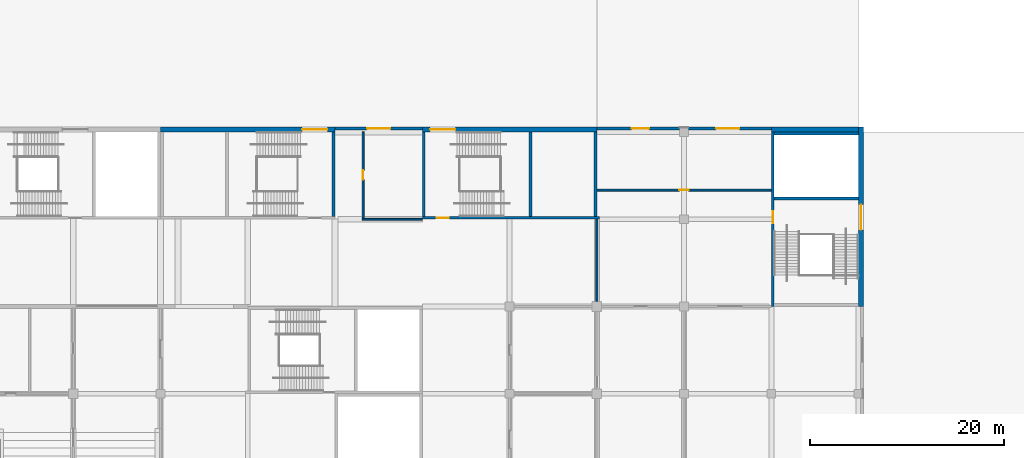
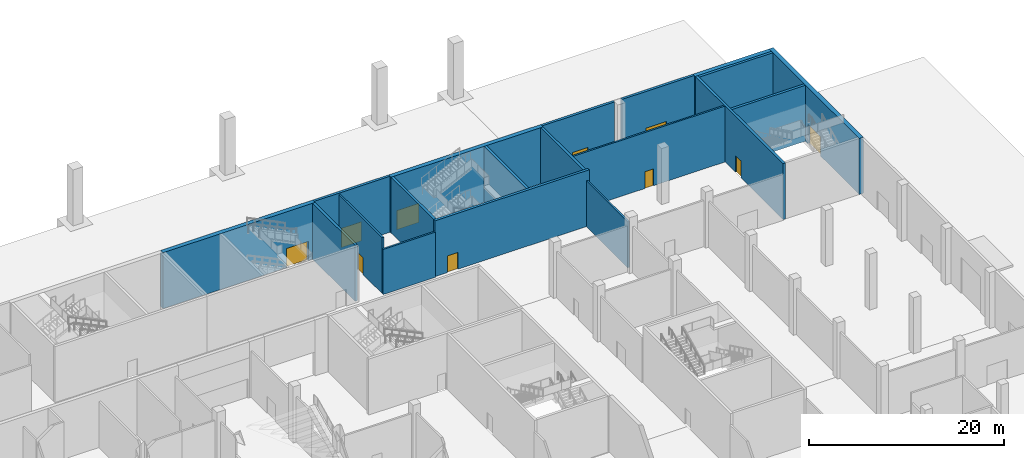
# One storey, part 41 of 92: 19 walls, 10 doors, 10 openings.
"""IFC4 building model written with IfcOpenShell, lengths in metres."""

import ifcopenshell
import ifcopenshell.guid

model = None  # the IFC model being written
_history = None  # IfcOwnerHistory: only IFC2X3 demands one
_inside = {}  # id of a spatial element -> (the spatial element, [elements in it])
_under = {}  # id of a project, library or spatial element -> (it, [spatial elements below it])
_declared = {}  # id of a project -> (the project, [libraries it declares])
_typed = {}  # id of a type object -> (the type object, [elements of that type])
_made_of = {}  # id of a material, layer set ... -> (it, [elements and type objects made of it])


def new_model(schema):
    """Start an empty IFC model of exactly this schema.

    Asked for "IFC4X3", IfcOpenShell would pick the latest addendum, in which some entities
    have other attributes; the version numbers below select the first issue.
    IFC2X3 requires an IfcOwnerHistory on every rooted entity: one is made here for all.
    """
    global model, _history
    if schema == "IFC4X3":
        model = ifcopenshell.file(schema_version=(4, 3, 0, 0))
    else:
        model = ifcopenshell.file(schema=schema)
    _inside.clear()
    _under.clear()
    _declared.clear()
    _typed.clear()
    _made_of.clear()
    _history = None
    if model.schema == "IFC2X3":
        org = make("IfcOrganization", Name="unknown")
        user = make(
            "IfcPersonAndOrganization",
            ThePerson=make("IfcPerson", FamilyName="unknown"),
            TheOrganization=org,
        )
        app = make(
            "IfcApplication",
            ApplicationDeveloper=org,
            Version="unknown",
            ApplicationFullName="unknown",
            ApplicationIdentifier="unknown",
        )
        _history = make(
            "IfcOwnerHistory",
            OwningUser=user,
            OwningApplication=app,
            ChangeAction="ADDED",
            CreationDate=0,
        )
    return model


def make(cls, **values):
    """One entity of the class cls with the attributes given. An attribute that is None is left unset."""
    return model.create_entity(
        cls, **{name: value for name, value in values.items() if value is not None}
    )


def rooted(cls, **values):
    """An entity with a GlobalId (a new one), such as an element, a storey or a relation."""
    return make(cls, GlobalId=ifcopenshell.guid.new(), OwnerHistory=_history, **values)


def si_unit(unit_type, name, prefix=None):
    """IfcSIUnit, for example si_unit("LENGTHUNIT", "METRE", prefix="MILLI")."""
    return make("IfcSIUnit", UnitType=unit_type, Prefix=prefix, Name=name)


def assignment(units):
    """IfcUnitAssignment: the units of a project."""
    return None if units is None else make("IfcUnitAssignment", Units=units)


def point(xyz):
    """IfcCartesianPoint."""
    return None if xyz is None else make("IfcCartesianPoint", Coordinates=xyz)


def direction(xyz):
    """IfcDirection."""
    return None if xyz is None else make("IfcDirection", DirectionRatios=xyz)


def frame(location, z_axis=None, x_axis=None):
    """IfcAxis2Placement3D, a coordinate frame: its origin and axes. An axis left out is left unset."""
    return make(
        "IfcAxis2Placement3D",
        Location=point(location),
        Axis=direction(z_axis),
        RefDirection=direction(x_axis),
    )


def frame_2d(location, x_axis=None):
    """IfcAxis2Placement2D, a coordinate frame in the plane: its origin and x axis."""
    return make(
        "IfcAxis2Placement2D", Location=point(location), RefDirection=direction(x_axis)
    )


def origin():
    """The frame at (0, 0, 0) with its axes left unset."""
    return frame((0.0, 0.0, 0.0))


def place(relative_to, where):
    """IfcLocalPlacement: puts the frame where relative to a parent placement (None: the world)."""
    return make(
        "IfcLocalPlacement", PlacementRelTo=relative_to, RelativePlacement=where
    )


def context(
    kind, dimensions, precision=None, world=None, true_north=None, identifier=None
):
    """IfcGeometricRepresentationContext, for example the 3D "Model" context."""
    return make(
        "IfcGeometricRepresentationContext",
        ContextIdentifier=identifier,
        ContextType=kind,
        CoordinateSpaceDimension=dimensions,
        Precision=precision,
        WorldCoordinateSystem=world,
        TrueNorth=true_north,
    )


def subcontext(parent, identifier, kind, view, scale=None):
    """IfcGeometricRepresentationSubContext, for example "Body" below "Model"."""
    return make(
        "IfcGeometricRepresentationSubContext",
        ContextIdentifier=identifier,
        ContextType=kind,
        ParentContext=parent,
        TargetScale=scale,
        TargetView=view,
    )


def project(units=None, contexts=None):
    """IfcProject with its units and contexts."""
    return rooted(
        "IfcProject",
        Name="project",
        RepresentationContexts=contexts,
        UnitsInContext=assignment(units),
    )


def spatial(cls, under=None, at=None, **own):
    """A site, building, storey or space (cls), placed at a placement, below another one or the project."""
    s = rooted(cls, ObjectPlacement=at, **own)
    if under is not None:
        _under.setdefault(under.id(), (under, []))[1].append(s)
    return s


def profile(cls, at=None, kind="AREA", **sizes):
    """A parametric profile (cls). Its sizes go by their IFC names, for example OverallWidth=200.0."""
    return make(cls, ProfileType=kind, Position=at, **sizes)


def rectangle(**sizes):
    """IfcRectangleProfileDef."""
    return profile("IfcRectangleProfileDef", **sizes)


def extrude(swept, where, along, depth):
    """IfcExtrudedAreaSolid: the profile swept, set in the frame where, extruded along a direction by depth."""
    return make(
        "IfcExtrudedAreaSolid",
        SweptArea=swept,
        Position=where,
        ExtrudedDirection=direction(along),
        Depth=depth,
    )


def shape(context_of_items, identifier, shape_type, items):
    """IfcShapeRepresentation: the items that make up one representation, for example the "Body"."""
    return make(
        "IfcShapeRepresentation",
        ContextOfItems=context_of_items,
        RepresentationIdentifier=identifier,
        RepresentationType=shape_type,
        Items=items,
    )


def material(Name=None, Category=None):
    """IfcMaterial."""
    return make("IfcMaterial", Name=Name, Category=Category)


def layer(
    of_material, thickness, ventilated=None, Name=None, Category=None, Priority=None
):
    """IfcMaterialLayer: one layer of a wall or slab, of a material (None: an air gap)."""
    return make(
        "IfcMaterialLayer",
        Material=of_material,
        LayerThickness=thickness,
        IsVentilated=ventilated,
        Name=Name,
        Category=Category,
        Priority=Priority,
    )


def layer_set(layers, Name=None):
    """IfcMaterialLayerSet."""
    return make("IfcMaterialLayerSet", MaterialLayers=layers, LayerSetName=Name)


def made_of(thing, what):
    """Note that an element or type object is made of a material, layer set ...; save() writes the relation."""
    if what is not None:
        _made_of.setdefault(what.id(), (what, []))[1].append(thing)
    return thing


def type_object(cls, material=None, **own):
    """A type object (cls), such as IfcWallType, which elements share."""
    return made_of(rooted(cls, **own), material)


def element(
    cls,
    number,
    at=None,
    inside=None,
    cuts=None,
    type_object=None,
    material=None,
    context=None,
    identifier="Body",
    shape_type=None,
    held_by="IfcProductDefinitionShape",
    body=None,
    shapes=None,
    **own,
):
    """One element of the class cls, such as IfcWall. Its Tag is "e" and its number.

    at: its placement. inside: the storey or other place that contains it. cuts: it is an
    opening in that element (IfcRelVoidsElement). A single representation is given by context,
    identifier, shape_type and body (its items); several are given by shapes. held_by: the class
    of the entity that holds the representations. save() writes the other relations.
    """
    e = rooted(cls, Tag="e%d" % number, ObjectPlacement=at, **own)
    if body is not None:
        shapes = [shape(context, identifier, shape_type, body)]
    if shapes is not None:
        e.Representation = make(held_by, Representations=shapes)
    if inside is not None:
        _inside.setdefault(inside.id(), (inside, []))[1].append(e)
    if cuts is not None:
        rooted(
            "IfcRelVoidsElement", RelatingBuildingElement=cuts, RelatedOpeningElement=e
        )
    if type_object is not None:
        _typed.setdefault(type_object.id(), (type_object, []))[1].append(e)
    return made_of(e, material)


def fill(opening, filler):
    """IfcRelFillsElement: the door or window that sits in an opening."""
    return rooted(
        "IfcRelFillsElement",
        RelatingOpeningElement=opening,
        RelatedBuildingElement=filler,
    )


def aggregate(whole, parts):
    """IfcRelAggregates: a whole, such as a stair, and the parts it consists of."""
    return rooted("IfcRelAggregates", RelatingObject=whole, RelatedObjects=parts)


def save(model, path):
    """Write the relations noted so far, then the file.

    IfcRelAggregates (storeys below a building ...), IfcRelContainedInSpatialStructure (elements
    in a storey), IfcRelDefinesByType, IfcRelAssociatesMaterial and IfcRelDeclares: one each for
    every whole, place, type object, material and project.
    """
    for whole, parts in _under.values():
        aggregate(whole, parts)
    for where, things in _inside.values():
        rooted(
            "IfcRelContainedInSpatialStructure",
            RelatedElements=things,
            RelatingStructure=where,
        )
    for kind, things in _typed.values():
        rooted("IfcRelDefinesByType", RelatedObjects=things, RelatingType=kind)
    for what, things in _made_of.values():
        rooted("IfcRelAssociatesMaterial", RelatedObjects=things, RelatingMaterial=what)
    for by, libraries in _declared.values():
        rooted("IfcRelDeclares", RelatingContext=by, RelatedDefinitions=libraries)
    model.write(path)


model = new_model("IFC4")

# Units and contexts
model_context = context("Model", 3, precision=1e-05, world=origin(), true_north=direction((0.0, 1.0)))
body_context = subcontext(model_context, "Body", "Model", "MODEL_VIEW")
ifc_project = project(units=[si_unit("LENGTHUNIT", "METRE"), si_unit("AREAUNIT", "SQUARE_METRE"), si_unit("VOLUMEUNIT", "CUBIC_METRE"), si_unit("PLANEANGLEUNIT", "RADIAN"), si_unit("MASSUNIT", "GRAM", prefix="KILO")], contexts=[model_context])

# Site, building, storey
site_placement = place(None, origin())
site = spatial("IfcSite", under=ifc_project, at=site_placement, CompositionType="ELEMENT")
building_placement = place(site_placement, origin())
building = spatial("IfcBuilding", under=site, at=building_placement, Name="Silverbay Arena", CompositionType="ELEMENT")
storey_placement = place(building_placement, origin())
storey = spatial("IfcBuildingStorey", under=building, at=storey_placement, Name="L00", CompositionType="ELEMENT", Elevation=0.0)

# Wall, opening, door
ifc_material_1 = material(Name="Concrete Grade C45 precast, board-marked finish", Category="concrete")
ifc_layer_1 = layer(ifc_material_1, 0.300048828125)
ifc_layer_set_1 = layer_set([ifc_layer_1], Name="Concrete Grade C45 precast, board-marked finish")
wall_type_1 = type_object("IfcWallType", Name="Board-marked precast wall 300", PredefinedType="SOLIDWALL", material=ifc_layer_set_1)
wall_1_placement = place(storey_placement, frame((189.0, 144.35009765625, 0.0), z_axis=(0.0, 0.0, 1.0), x_axis=(-1.0, 0.0, 0.0)))
wall_1 = element("IfcWall", 1, at=wall_1_placement, inside=storey, type_object=wall_type_1, Name="North external wall L00 bay 18", PredefinedType="SOLIDWALL", context=body_context, shape_type="SweptSolid", body=[
    extrude(rectangle(XDim=9.0, YDim=0.300048828125, at=frame_2d((4.5, 0.0))), origin(), (0.0, 0.0, 1.0), 7.0),
])
opening_1_placement = place(wall_1_placement, frame((3.300048828125, 0.0, 0.0)))
opening_1 = element("IfcOpeningElement", 2, at=opening_1_placement, cuts=wall_1, Name="Opening L00-135", PredefinedType="OPENING", context=body_context, shape_type="SweptSolid", body=[
    extrude(rectangle(XDim=2.39990234375, YDim=2.39990234375, at=frame_2d((1.199951171875, 1.199951171875))), frame((0.0, 0.16015625, 0.0), z_axis=(0.0, -1.0, 0.0), x_axis=(1.0, 0.0, 0.0)), (0.0, 0.0, 1.0), 0.320068359375),
])
ifc_material_2 = material(Name="Steel", Category="steel")
door_type_1 = type_object("IfcDoorType", Name="Exit gate door 2400 x 2400", OperationType="DOUBLE_DOOR_SINGLE_SWING", PredefinedType="DOOR", material=ifc_material_2)
door_1_placement = place(opening_1_placement, frame((2.39990234375, 0.0, 0.0), z_axis=(0.0, 0.0, 1.0), x_axis=(-1.0, 0.0, 0.0)))
door_1 = element("IfcDoor", 3, at=door_1_placement, inside=storey, type_object=door_type_1, Name="Pedestrian exit gate G35", OperationType="DOUBLE_DOOR_SINGLE_SWING", OverallHeight=2.39990234375, OverallWidth=2.39990234375, PredefinedType="DOOR", context=body_context, shape_type="SweptSolid", body=[
    extrude(rectangle(XDim=2.39990234375, YDim=2.39990234375, at=frame_2d((1.199951171875, 1.199951171875))), frame((0.0, 0.02490234375, 0.0), z_axis=(0.0, -1.0, 0.0), x_axis=(1.0, 0.0, 0.0)), (0.0, 0.0, 1.0), 0.050048828125),
])
fill(opening_1, door_1)

wall_2_placement = place(storey_placement, frame((215.550048828125, 144.35009765625, 0.0), z_axis=(0.0, 0.0, 1.0), x_axis=(-1.0, 0.0, 0.0)))
wall_2 = element("IfcWall", 4, at=wall_2_placement, inside=storey, type_object=wall_type_1, Name="North external wall L00 bay 21", PredefinedType="SOLIDWALL", context=body_context, shape_type="SweptSolid", body=[
    extrude(rectangle(XDim=8.550048828125, YDim=0.300048828125, at=frame_2d((4.27490234375, 0.0))), origin(), (0.0, 0.0, 1.0), 7.0),
])
opening_2_placement = place(wall_2_placement, frame((3.14990234375, 0.0, 0.0)))
opening_2 = element("IfcOpeningElement", 5, at=opening_2_placement, cuts=wall_2, Name="Opening L00-136", PredefinedType="OPENING", context=body_context, shape_type="SweptSolid", body=[
    extrude(rectangle(XDim=1.800048828125, YDim=2.39990234375, at=frame_2d((0.89990234375, 1.199951171875))), frame((0.0, 0.16015625, 0.0), z_axis=(0.0, -1.0, 0.0), x_axis=(1.0, 0.0, 0.0)), (0.0, 0.0, 1.0), 0.320068359375),
])
ifc_material_3 = material(Name="Steel", Category="steel")
door_type_2 = type_object("IfcDoorType", Name="Service exit door 1800 x 2400", OperationType="DOUBLE_DOOR_SINGLE_SWING", PredefinedType="DOOR", material=ifc_material_3)
door_2_placement = place(opening_2_placement, frame((1.800048828125, 0.0, 0.0), z_axis=(0.0, 0.0, 1.0), x_axis=(-1.0, 0.0, 0.0)))
door_2 = element("IfcDoor", 6, at=door_2_placement, inside=storey, type_object=door_type_2, Name="Final exit F2", OperationType="DOUBLE_DOOR_SINGLE_SWING", OverallHeight=2.39990234375, OverallWidth=1.800048828125, PredefinedType="DOOR", context=body_context, shape_type="SweptSolid", body=[
    extrude(rectangle(XDim=1.800048828125, YDim=2.39990234375, at=frame_2d((0.89990234375, 1.199951171875))), frame((0.0, 0.02490234375, 0.0), z_axis=(0.0, -1.0, 0.0), x_axis=(1.0, 0.0, 0.0)), (0.0, 0.0, 1.0), 0.050048828125),
])
fill(opening_2, door_2)

wall_3_placement = place(storey_placement, frame((225.0, 144.35009765625, 0.0), z_axis=(0.0, 0.0, 1.0), x_axis=(-1.0, 0.0, 0.0)))
wall_3 = element("IfcWall", 7, at=wall_3_placement, inside=storey, type_object=wall_type_1, Name="North external wall L00 bay 22", PredefinedType="SOLIDWALL", context=body_context, shape_type="SweptSolid", body=[
    extrude(rectangle(XDim=8.550048828125, YDim=0.300048828125, at=frame_2d((4.27490234375, 0.0))), origin(), (0.0, 0.0, 1.0), 7.0),
])
opening_3_placement = place(wall_3_placement, frame((3.300048828125, 0.0, 0.0)))
opening_3 = element("IfcOpeningElement", 8, at=opening_3_placement, cuts=wall_3, Name="Opening L00-137", PredefinedType="OPENING", context=body_context, shape_type="SweptSolid", body=[
    extrude(rectangle(XDim=2.39990234375, YDim=2.39990234375, at=frame_2d((1.199951171875, 1.199951171875))), frame((0.0, 0.16015625, 0.0), z_axis=(0.0, -1.0, 0.0), x_axis=(1.0, 0.0, 0.0)), (0.0, 0.0, 1.0), 0.320068359375),
])
door_3_placement = place(opening_3_placement, frame((2.39990234375, 0.0, 0.0), z_axis=(0.0, 0.0, 1.0), x_axis=(-1.0, 0.0, 0.0)))
door_3 = element("IfcDoor", 9, at=door_3_placement, inside=storey, type_object=door_type_1, Name="Pedestrian exit gate G36", OperationType="DOUBLE_DOOR_SINGLE_SWING", OverallHeight=2.39990234375, OverallWidth=2.39990234375, PredefinedType="DOOR", context=body_context, shape_type="SweptSolid", body=[
    extrude(rectangle(XDim=2.39990234375, YDim=2.39990234375, at=frame_2d((1.199951171875, 1.199951171875))), frame((0.0, 0.02490234375, 0.0), z_axis=(0.0, -1.0, 0.0), x_axis=(1.0, 0.0, 0.0)), (0.0, 0.0, 1.0), 0.050048828125),
])
fill(opening_3, door_3)

# Wall
ifc_material_4 = material(Name="Concrete Grade C45", Category="concrete")
ifc_layer_2 = layer(ifc_material_4, 0.300048828125)
ifc_layer_set_2 = layer_set([ifc_layer_2], Name="Concrete Grade C45")
wall_type_2 = type_object("IfcWallType", Name="Core wall RC 300 EI 120", PredefinedType="SHEAR", material=ifc_layer_set_2)
wall_4_placement = place(storey_placement, frame((179.85009765625, 135.300048828125, 0.0), z_axis=(0.0, 0.0, 1.0), x_axis=(0.0, 1.0, 0.0)))
element("IfcWall", 10, at=wall_4_placement, inside=storey, type_object=wall_type_2, Name="Core wall ST-N4 L00 end 1", PredefinedType="SHEAR", context=body_context, shape_type="SweptSolid", body=[
    extrude(rectangle(XDim=8.699951171875, YDim=0.300048828125, at=frame_2d((4.35009765625, 0.0))), origin(), (0.0, 0.0, 1.0), 7.0),
])

# Wall, opening, door
wall_5_placement = place(storey_placement, frame((189.0, 135.14990234375, 0.0), z_axis=(0.0, 0.0, 1.0), x_axis=(1.0, 0.0, 0.0)))
wall_5 = element("IfcWall", 11, at=wall_5_placement, inside=storey, type_object=wall_type_2, Name="Core wall ST-N6 L00 door side", PredefinedType="SHEAR", context=body_context, shape_type="SweptSolid", body=[
    extrude(rectangle(XDim=18.25, YDim=0.300048828125, at=frame_2d((9.125, 0.0))), origin(), (0.0, 0.0, 1.0), 7.0),
])
opening_4_placement = place(wall_5_placement, frame((1.5, 0.0, 0.0)))
opening_4 = element("IfcOpeningElement", 12, at=opening_4_placement, cuts=wall_5, Name="Opening L00-180", PredefinedType="OPENING", context=body_context, shape_type="SweptSolid", body=[
    extrude(rectangle(XDim=1.199951171875, YDim=2.10009765625, at=frame_2d((0.60009765625, 1.050048828125))), frame((0.0, 0.16015625, 0.0), z_axis=(0.0, -1.0, 0.0), x_axis=(1.0, 0.0, 0.0)), (0.0, 0.0, 1.0), 0.320068359375),
])
ifc_material_5 = material(Name="Steel fire door", Category="steel")
door_type_3 = type_object("IfcDoorType", Name="Stair door 1200 x 2100 fire door", OperationType="SINGLE_SWING_LEFT", PredefinedType="DOOR", material=ifc_material_5)
door_4_placement = place(opening_4_placement, origin())
door_4 = element("IfcDoor", 13, at=door_4_placement, inside=storey, type_object=door_type_3, Name="Stair door ST-N6 L00", OperationType="SINGLE_SWING_LEFT", OverallHeight=2.10009765625, OverallWidth=1.199951171875, PredefinedType="DOOR", context=body_context, shape_type="SweptSolid", body=[
    extrude(rectangle(XDim=1.199951171875, YDim=2.10009765625, at=frame_2d((0.60009765625, 1.050048828125))), frame((0.0, 0.02490234375, 0.0), z_axis=(0.0, -1.0, 0.0), x_axis=(1.0, 0.0, 0.0)), (0.0, 0.0, 1.0), 0.050048828125),
])
fill(opening_4, door_4)

# Walls
for number, where, z_axis, x_axis, name in (
    (14, (189.14990234375, 135.300048828125, 0.0), (0.0, 0.0, 1.0), (0.0, 1.0, 0.0), "Core wall ST-N6 L00 end 1"),
    (15, (206.85009765625, 135.300048828125, 0.0), (0.0, 0.0, 1.0), (0.0, 1.0, 0.0), "Core wall ST-N6 L00 end 2"),
    (16, (200.14990234375, 135.300048828125, 0.0), (0.0, 0.0, 1.0), (0.0, 1.0, 0.0), "Core wall ST-N6 L00 stair enclosure"),
):
    element("IfcWall", number, at=place(storey_placement, frame(where, z_axis=z_axis, x_axis=x_axis)), inside=storey, type_object=wall_type_2, Name=name, PredefinedType="SHEAR", context=body_context, shape_type="SweptSolid", body=[
        extrude(rectangle(XDim=8.699951171875, YDim=0.300048828125, at=frame_2d((4.35009765625, 0.0))), origin(), (0.0, 0.0, 1.0), 7.0),
    ])

# Wall, opening, door
wall_6_placement = place(storey_placement, frame((225.14990234375, 126.0, 0.0), z_axis=(0.0, 0.0, 1.0), x_axis=(0.0, 1.0, 0.0)))
wall_6 = element("IfcWall", 17, at=wall_6_placement, inside=storey, type_object=wall_type_2, Name="Core wall ST-EG2 L00 door side", PredefinedType="SHEAR", context=body_context, shape_type="SweptSolid", body=[
    extrude(rectangle(XDim=18.0, YDim=0.300048828125, at=frame_2d((9.0, 0.0))), origin(), (0.0, 0.0, 1.0), 7.0),
])
opening_5_placement = place(wall_6_placement, frame((8.60009765625, 0.0, 0.0)))
opening_5 = element("IfcOpeningElement", 18, at=opening_5_placement, cuts=wall_6, Name="Opening L00-200", PredefinedType="OPENING", context=body_context, shape_type="SweptSolid", body=[
    extrude(rectangle(XDim=1.199951171875, YDim=2.10009765625, at=frame_2d((0.60009765625, 1.050048828125))), frame((0.0, 0.16015625, 0.0), z_axis=(0.0, -1.0, 0.0), x_axis=(1.0, 0.0, 0.0)), (0.0, 0.0, 1.0), 0.320068359375),
])
door_5_placement = place(opening_5_placement, frame((1.199951171875, 0.0, 0.0), z_axis=(0.0, 0.0, 1.0), x_axis=(-1.0, 0.0, 0.0)))
door_5 = element("IfcDoor", 19, at=door_5_placement, inside=storey, type_object=door_type_3, Name="Stair door ST-EG2 L00", OperationType="SINGLE_SWING_LEFT", OverallHeight=2.10009765625, OverallWidth=1.199951171875, PredefinedType="DOOR", context=body_context, shape_type="SweptSolid", body=[
    extrude(rectangle(XDim=1.199951171875, YDim=2.10009765625, at=frame_2d((0.60009765625, 1.050048828125))), frame((0.0, 0.02490234375, 0.0), z_axis=(0.0, -1.0, 0.0), x_axis=(1.0, 0.0, 0.0)), (0.0, 0.0, 1.0), 0.050048828125),
])
fill(opening_5, door_5)

# Walls
for number, where, z_axis, x_axis, name in (
    (20, (225.300048828125, 143.85009765625, 0.0), (0.0, 0.0, 1.0), (1.0, 0.0, 0.0), "Core wall ST-EG2 L00 end 2"),
    (21, (225.300048828125, 137.14990234375, 0.0), (0.0, 0.0, 1.0), (1.0, 0.0, 0.0), "Core wall ST-EG2 L00 stair enclosure"),
):
    element("IfcWall", number, at=place(storey_placement, frame(where, z_axis=z_axis, x_axis=x_axis)), inside=storey, type_object=wall_type_2, Name=name, PredefinedType="SHEAR", context=body_context, shape_type="SweptSolid", body=[
        extrude(rectangle(XDim=8.699951171875, YDim=0.300048828125, at=frame_2d((4.35009765625, 0.0))), origin(), (0.0, 0.0, 1.0), 7.0),
    ])

# Wall, opening, door
ifc_material_6 = material(Name="Concrete Grade C45", Category="concrete")
ifc_layer_3 = layer(ifc_material_6, 0.5)
ifc_layer_set_3 = layer_set([ifc_layer_3], Name="Concrete Grade C45")
wall_type_3 = type_object("IfcWallType", Name="Core wall RC 500 external EI 120", PredefinedType="SHEAR", material=ifc_layer_set_3)
wall_7_placement = place(storey_placement, frame((180.0, 144.25, 0.0), z_axis=(0.0, 0.0, 1.0), x_axis=(-1.0, 0.0, 0.0)))
wall_7 = element("IfcWall", 22, at=wall_7_placement, inside=storey, type_object=wall_type_3, Name="Core wall ST-N4 L00 facade side", PredefinedType="SHEAR", context=body_context, shape_type="SweptSolid", body=[
    extrude(rectangle(XDim=18.0, YDim=0.5, at=frame_2d((9.0, 0.0))), origin(), (0.0, 0.0, 1.0), 7.0),
])
opening_6_placement = place(wall_7_placement, frame((0.800048828125, 0.0, 0.0)))
opening_6 = element("IfcOpeningElement", 23, at=opening_6_placement, cuts=wall_7, Name="Opening L00-173", PredefinedType="OPENING", context=body_context, shape_type="SweptSolid", body=[
    extrude(rectangle(XDim=2.60009765625, YDim=2.39990234375, at=frame_2d((1.300048828125, 1.199951171875))), frame((0.0, 0.260009765625, 0.0), z_axis=(0.0, -1.0, 0.0), x_axis=(1.0, 0.0, 0.0)), (0.0, 0.0, 1.0), 0.52001953125),
])
ifc_material_7 = material(Name="Steel and glass", Category="steel")
door_type_4 = type_object("IfcDoorType", Name="Exit door double leaf 2600 x 2400", OperationType="DOUBLE_DOOR_SINGLE_SWING", PredefinedType="DOOR", material=ifc_material_7)
door_6_placement = place(opening_6_placement, frame((2.60009765625, 0.0, 0.0), z_axis=(0.0, 0.0, 1.0), x_axis=(-1.0, 0.0, 0.0)))
door_6 = element("IfcDoor", 24, at=door_6_placement, inside=storey, type_object=door_type_4, Name="Pedestrian exit gate G68", OperationType="DOUBLE_DOOR_SINGLE_SWING", OverallHeight=2.39990234375, OverallWidth=2.60009765625, PredefinedType="DOOR", context=body_context, shape_type="SweptSolid", body=[
    extrude(rectangle(XDim=2.60009765625, YDim=2.39990234375, at=frame_2d((1.300048828125, 1.199951171875))), frame((0.0, 0.02490234375, 0.0), z_axis=(0.0, -1.0, 0.0), x_axis=(1.0, 0.0, 0.0)), (0.0, 0.0, 1.0), 0.050048828125),
])
fill(opening_6, door_6)

wall_8_placement = place(storey_placement, frame((189.0, 144.25, 0.0), z_axis=(0.0, 0.0, 1.0), x_axis=(1.0, 0.0, 0.0)))
wall_8 = element("IfcWall", 25, at=wall_8_placement, inside=storey, type_object=wall_type_3, Name="Core wall ST-N6 L00 facade side", PredefinedType="SHEAR", context=body_context, shape_type="SweptSolid", body=[
    extrude(rectangle(XDim=18.0, YDim=0.5, at=frame_2d((9.0, 0.0))), origin(), (0.0, 0.0, 1.0), 7.0),
])
opening_7_placement = place(wall_8_placement, frame((0.800048828125, 0.0, 0.0)))
opening_7 = element("IfcOpeningElement", 26, at=opening_7_placement, cuts=wall_8, Name="Opening L00-181", PredefinedType="OPENING", context=body_context, shape_type="SweptSolid", body=[
    extrude(rectangle(XDim=2.60009765625, YDim=2.39990234375, at=frame_2d((1.300048828125, 1.199951171875))), frame((0.0, 0.260009765625, 0.0), z_axis=(0.0, -1.0, 0.0), x_axis=(1.0, 0.0, 0.0)), (0.0, 0.0, 1.0), 0.52001953125),
])
door_7_placement = place(opening_7_placement, origin())
door_7 = element("IfcDoor", 27, at=door_7_placement, inside=storey, type_object=door_type_4, Name="Pedestrian exit gate G76", OperationType="DOUBLE_DOOR_SINGLE_SWING", OverallHeight=2.39990234375, OverallWidth=2.60009765625, PredefinedType="DOOR", context=body_context, shape_type="SweptSolid", body=[
    extrude(rectangle(XDim=2.60009765625, YDim=2.39990234375, at=frame_2d((1.300048828125, 1.199951171875))), frame((0.0, 0.02490234375, 0.0), z_axis=(0.0, -1.0, 0.0), x_axis=(1.0, 0.0, 0.0)), (0.0, 0.0, 1.0), 0.050048828125),
])
fill(opening_7, door_7)

wall_9_placement = place(storey_placement, frame((234.25, 126.0, 0.0), z_axis=(0.0, 0.0, 1.0), x_axis=(0.0, 1.0, 0.0)))
wall_9 = element("IfcWall", 28, at=wall_9_placement, inside=storey, type_object=wall_type_3, Name="Core wall ST-EG2 L00 facade side", PredefinedType="SHEAR", context=body_context, shape_type="SweptSolid", body=[
    extrude(rectangle(XDim=18.5, YDim=0.5, at=frame_2d((9.25, 0.0))), origin(), (0.0, 0.0, 1.0), 7.0),
])
opening_8_placement = place(wall_9_placement, frame((7.89990234375, 0.0, 0.0)))
opening_8 = element("IfcOpeningElement", 29, at=opening_8_placement, cuts=wall_9, Name="Opening L00-201", PredefinedType="OPENING", context=body_context, shape_type="SweptSolid", body=[
    extrude(rectangle(XDim=2.60009765625, YDim=2.39990234375, at=frame_2d((1.300048828125, 1.199951171875))), frame((0.0, 0.260009765625, 0.0), z_axis=(0.0, -1.0, 0.0), x_axis=(1.0, 0.0, 0.0)), (0.0, 0.0, 1.0), 0.52001953125),
])
door_8_placement = place(opening_8_placement, frame((2.60009765625, 0.0, 0.0), z_axis=(0.0, 0.0, 1.0), x_axis=(-1.0, 0.0, 0.0)))
door_8 = element("IfcDoor", 30, at=door_8_placement, inside=storey, type_object=door_type_4, Name="Pedestrian exit gate G72", OperationType="DOUBLE_DOOR_SINGLE_SWING", OverallHeight=2.39990234375, OverallWidth=2.60009765625, PredefinedType="DOOR", context=body_context, shape_type="SweptSolid", body=[
    extrude(rectangle(XDim=2.60009765625, YDim=2.39990234375, at=frame_2d((1.300048828125, 1.199951171875))), frame((0.0, 0.02490234375, 0.0), z_axis=(0.0, -1.0, 0.0), x_axis=(1.0, 0.0, 0.0)), (0.0, 0.0, 1.0), 0.050048828125),
])
fill(opening_8, door_8)

# Wall
ifc_material_8 = material(Name="Masonry blockwork partition", Category="masonry")
ifc_layer_4 = layer(ifc_material_8, 0.199951171875)
ifc_layer_set_4 = layer_set([ifc_layer_4], Name="Masonry blockwork partition")
wall_type_4 = type_object("IfcWallType", Name="Partition 200 EI 120", PredefinedType="PARTITIONING", material=ifc_layer_set_4)
wall_10_placement = place(storey_placement, frame((182.800048828125, 135.0, 0.0), z_axis=(0.0, 0.0, 1.0), x_axis=(1.0, 0.0, 0.0)))
element("IfcWall", 31, at=wall_10_placement, inside=storey, type_object=wall_type_4, Name="Partition wall", PredefinedType="PARTITIONING", context=body_context, shape_type="SweptSolid", body=[
    extrude(rectangle(XDim=6.199951171875, YDim=0.199951171875, at=frame_2d((3.10009765625, 0.0))), origin(), (0.0, 0.0, 1.0), 5.64990234375),
])

# Wall, opening, door
wall_11_placement = place(storey_placement, frame((207.0, 138.0, 0.0), z_axis=(0.0, 0.0, 1.0), x_axis=(1.0, 0.0, 0.0)))
wall_11 = element("IfcWall", 32, at=wall_11_placement, inside=storey, type_object=wall_type_4, Name="Partition wall", PredefinedType="PARTITIONING", context=body_context, shape_type="SweptSolid", body=[
    extrude(rectangle(XDim=18.0, YDim=0.199951171875, at=frame_2d((9.0, 0.0))), origin(), (0.0, 0.0, 1.0), 7.0),
])
opening_9_placement = place(wall_11_placement, frame((8.5, 0.0, 0.0)))
opening_9 = element("IfcOpeningElement", 33, at=opening_9_placement, cuts=wall_11, Name="Opening L00-061", PredefinedType="OPENING", context=body_context, shape_type="SweptSolid", body=[
    extrude(rectangle(XDim=1.0, YDim=2.10009765625, at=frame_2d((0.5, 1.050048828125))), frame((0.0, 0.10986328125, 0.0), z_axis=(0.0, -1.0, 0.0), x_axis=(1.0, 0.0, 0.0)), (0.0, 0.0, 1.0), 0.219970703125),
])
ifc_material_9 = material(Name="Steel faced timber", Category="steel")
door_type_5 = type_object("IfcDoorType", Name="Single leaf door 1000 x 2100 FD120", OperationType="SINGLE_SWING_LEFT", PredefinedType="DOOR", material=ifc_material_9)
door_9_placement = place(opening_9_placement, origin())
door_9 = element("IfcDoor", 34, at=door_9_placement, inside=storey, type_object=door_type_5, Name="Door L00-061", OperationType="SINGLE_SWING_LEFT", OverallHeight=2.10009765625, OverallWidth=1.0, PredefinedType="DOOR", context=body_context, shape_type="SweptSolid", body=[
    extrude(rectangle(XDim=1.0, YDim=2.10009765625, at=frame_2d((0.5, 1.050048828125))), frame((0.0, 0.02490234375, 0.0), z_axis=(0.0, -1.0, 0.0), x_axis=(1.0, 0.0, 0.0)), (0.0, 0.0, 1.0), 0.050048828125),
])
fill(opening_9, door_9)

wall_12_placement = place(storey_placement, frame((182.89990234375, 135.10009765625, 0.0), z_axis=(0.0, 0.0, 1.0), x_axis=(0.0, 1.0, 0.0)))
wall_12 = element("IfcWall", 35, at=wall_12_placement, inside=storey, type_object=wall_type_4, Name="Partition wall", PredefinedType="PARTITIONING", context=body_context, shape_type="SweptSolid", body=[
    extrude(rectangle(XDim=8.89990234375, YDim=0.199951171875, at=frame_2d((4.449951171875, 0.0))), origin(), (0.0, 0.0, 1.0), 7.0),
])
opening_10_placement = place(wall_12_placement, frame((3.949951171875, 0.0, 0.0)))
opening_10 = element("IfcOpeningElement", 36, at=opening_10_placement, cuts=wall_12, Name="Opening L00-006", PredefinedType="OPENING", context=body_context, shape_type="SweptSolid", body=[
    extrude(rectangle(XDim=1.0, YDim=2.10009765625, at=frame_2d((0.5, 1.050048828125))), frame((0.0, 0.10986328125, 0.0), z_axis=(0.0, -1.0, 0.0), x_axis=(1.0, 0.0, 0.0)), (0.0, 0.0, 1.0), 0.219970703125),
])
door_10_placement = place(opening_10_placement, frame((1.0, 0.0, 0.0), z_axis=(0.0, 0.0, 1.0), x_axis=(-1.0, 0.0, 0.0)))
door_10 = element("IfcDoor", 37, at=door_10_placement, inside=storey, type_object=door_type_5, Name="Door L00-006", OperationType="SINGLE_SWING_LEFT", OverallHeight=2.10009765625, OverallWidth=1.0, PredefinedType="DOOR", context=body_context, shape_type="SweptSolid", body=[
    extrude(rectangle(XDim=1.0, YDim=2.10009765625, at=frame_2d((0.5, 1.050048828125))), frame((0.0, 0.02490234375, 0.0), z_axis=(0.0, -1.0, 0.0), x_axis=(1.0, 0.0, 0.0)), (0.0, 0.0, 1.0), 0.050048828125),
])
fill(opening_10, door_10)

# Walls
wall_13_placement = place(storey_placement, frame((207.0, 126.5, 0.0), z_axis=(0.0, 0.0, 1.0), x_axis=(0.0, 1.0, 0.0)))
element("IfcWall", 38, at=wall_13_placement, inside=storey, type_object=wall_type_4, Name="Partition wall", PredefinedType="PARTITIONING", context=body_context, shape_type="SweptSolid", body=[
    extrude(rectangle(XDim=8.5, YDim=0.199951171875, at=frame_2d((4.25, 0.0))), origin(), (0.0, 0.0, 1.0), 5.75),
])
ifc_material_10 = material(Name="Concrete Grade C45", Category="concrete")
ifc_layer_5 = layer(ifc_material_10, 0.5)
ifc_layer_set_5 = layer_set([ifc_layer_5], Name="Concrete Grade C45")
wall_type_5 = type_object("IfcWallType", Name="Stair core facade wall 500", PredefinedType="SOLIDWALL", material=ifc_layer_set_5)
wall_14_placement = place(storey_placement, frame((234.0, 144.25, 0.0), z_axis=(0.0, 0.0, 1.0), x_axis=(-1.0, 0.0, 0.0)))
element("IfcWall", 39, at=wall_14_placement, inside=storey, type_object=wall_type_5, Name="North stair core facade wall L00 bay 23", PredefinedType="SOLIDWALL", context=body_context, shape_type="SweptSolid", body=[
    extrude(rectangle(XDim=9.0, YDim=0.5, at=frame_2d((4.5, 0.0))), origin(), (0.0, 0.0, 1.0), 7.0),
])

save(model, "model.ifc")
